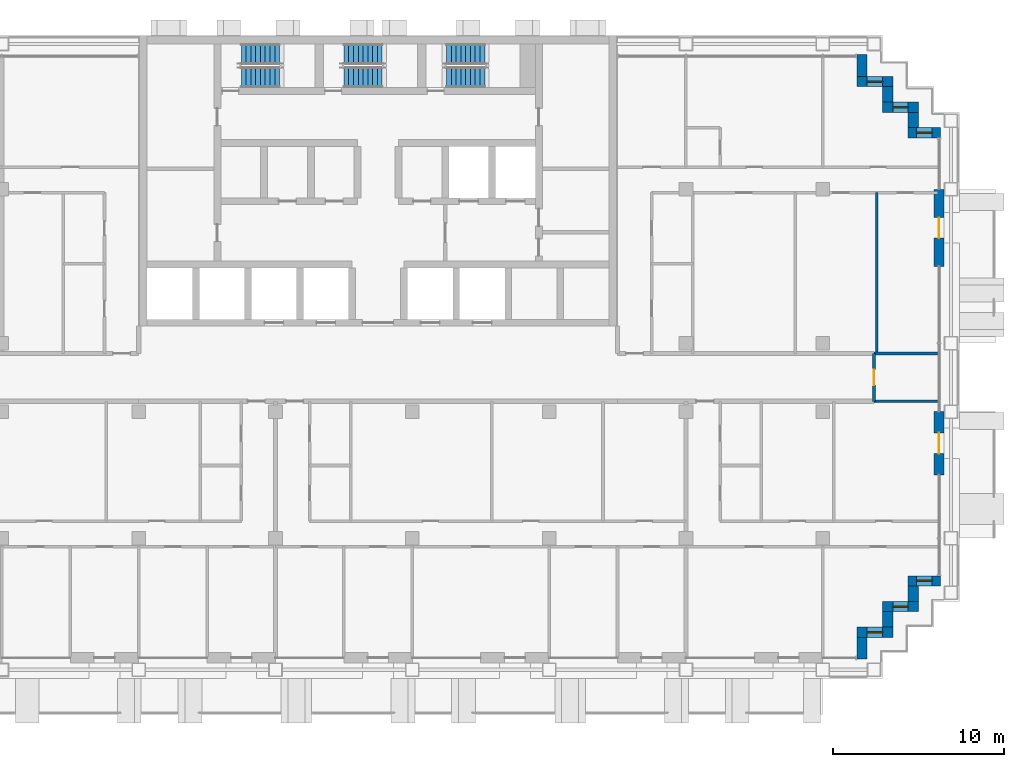
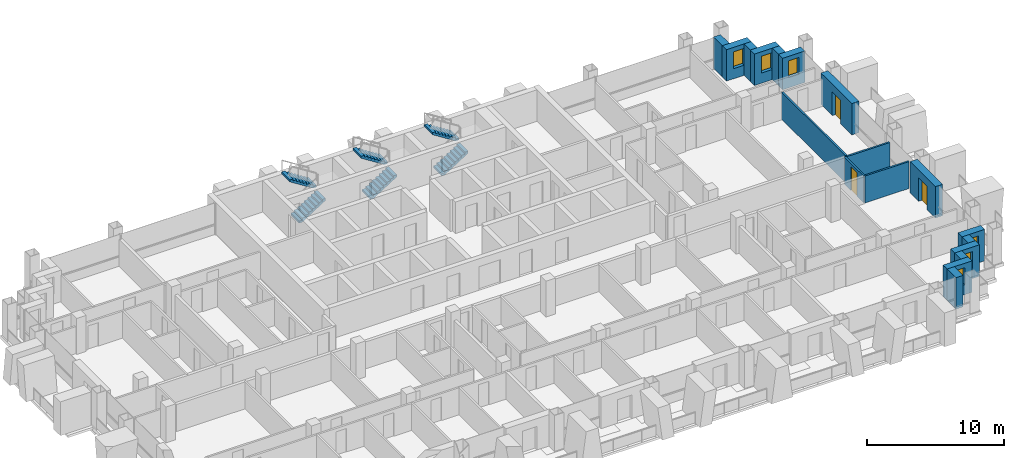
# One storey, part 12 of 17: 18 walls, 6 stair flights, 6 windows, 3 doors, 9 openings, 3 elements without a shape of their own.
"""IFC4 building model written with IfcOpenShell, lengths in metres."""

from ifc_helpers import new_model, si_unit, direction, frame, frame_2d, origin, place, context, subcontext, project, spatial, polyline, rectangle, outline, extrude, material, layer, layer_set, type_object, element, fill, aggregate, save


model = new_model("IFC4")

# Units and contexts
model_context = context("Model", 3, precision=1e-05, world=origin(), true_north=direction((0.0, 1.0)))
body_context = subcontext(model_context, "Body", "Model", "MODEL_VIEW")
ifc_project = project(units=[si_unit("LENGTHUNIT", "METRE"), si_unit("AREAUNIT", "SQUARE_METRE"), si_unit("VOLUMEUNIT", "CUBIC_METRE"), si_unit("PLANEANGLEUNIT", "RADIAN"), si_unit("MASSUNIT", "GRAM", prefix="KILO")], contexts=[model_context])

# Site, building, storey
site_placement = place(None, origin())
site = spatial("IfcSite", under=ifc_project, at=site_placement, CompositionType="ELEMENT")
building_placement = place(site_placement, origin())
building = spatial("IfcBuilding", under=site, at=building_placement, Name="Vidyagriha Tower", CompositionType="ELEMENT")
storey_placement = place(building_placement, frame((0.0, 0.0, 148.60009765625)))
storey = spatial("IfcBuildingStorey", under=building, at=storey_placement, Name="L39", CompositionType="ELEMENT", Elevation=148.60009765625)

# Wall, opening, window
ifc_material_1 = material(Name="Precast concrete C40/50 with brick facing", Category="concrete")
ifc_layer_1 = layer(ifc_material_1, 0.60009765625)
ifc_layer_set_1 = layer_set([ifc_layer_1], Name="Precast concrete C40/50 with brick facing")
wall_type_1 = type_object("IfcWallType", Name="Brick-faced precast wall 600", PredefinedType="STANDARD", material=ifc_layer_set_1)
wall_1_placement = place(storey_placement, frame((32.8798828125, 14.300048828125, 0.0), z_axis=(0.0, 0.0, 1.0), x_axis=(-1.0, 0.0, 0.0)))
wall_1 = element("IfcWall", 1, at=wall_1_placement, inside=storey, type_object=wall_type_1, Name="Stepped corner wall L39 R01", PredefinedType="STANDARD", context=body_context, shape_type="SweptSolid", body=[
    extrude(rectangle(XDim=1.8798828125, YDim=0.60009765625, at=frame_2d((0.93994140625, 0.0))), origin(), (0.0, 0.0, 1.0), 2.7998046875),
])
opening_1_placement = place(wall_1_placement, frame((0.489990234375, 0.0, 0.89990234375)))
opening_1 = element("IfcOpeningElement", 2, at=opening_1_placement, cuts=wall_1, Name="Opening WN1", PredefinedType="OPENING", context=body_context, shape_type="SweptSolid", body=[
    extrude(rectangle(XDim=0.89990234375, YDim=1.5, at=frame_2d((0.449951171875, 0.75))), frame((0.0, 0.31005859375, 0.0), z_axis=(0.0, -1.0, 0.0), x_axis=(1.0, 0.0, 0.0)), (0.0, 0.0, 1.0), 0.6201171875),
])
ifc_material_2 = material(Name="Aluminium and glass window", Category="aluminium")
window_type = type_object("IfcWindowType", Name="Reveal window 900x1500", PartitioningType="NOTDEFINED", PredefinedType="WINDOW", material=ifc_material_2)
window_1_placement = place(opening_1_placement, origin())
window_1 = element("IfcWindow", 3, at=window_1_placement, inside=storey, type_object=window_type, Name="Reveal window L39 R01", OverallHeight=1.5, OverallWidth=0.89990234375, PartitioningType="SINGLE_PANEL", PredefinedType="WINDOW", context=body_context, shape_type="SweptSolid", body=[
    extrude(rectangle(XDim=0.89990234375, YDim=1.5, at=frame_2d((0.449951171875, 0.75))), frame((0.0, 0.030029296875, 0.0), z_axis=(0.0, -1.0, 0.0), x_axis=(1.0, 0.0, 0.0)), (0.0, 0.0, 1.0), 0.06005859375),
])
fill(opening_1, window_1)

# Wall
wall_2_placement = place(storey_placement, frame((31.300048828125, 14.60009765625, 0.0), z_axis=(0.0, 0.0, 1.0), x_axis=(0.0, 1.0, 0.0)))
element("IfcWall", 4, at=wall_2_placement, inside=storey, type_object=wall_type_1, Name="Stepped corner wall L39 R02", PredefinedType="STANDARD", context=body_context, shape_type="SweptSolid", body=[
    extrude(rectangle(XDim=0.89990234375, YDim=0.60009765625, at=frame_2d((0.449951171875, 0.0))), origin(), (0.0, 0.0, 1.0), 2.7998046875),
])

# Wall, opening, window
wall_3_placement = place(storey_placement, frame((31.60009765625, 15.800048828125, 0.0), z_axis=(0.0, 0.0, 1.0), x_axis=(-1.0, 0.0, 0.0)))
wall_3 = element("IfcWall", 5, at=wall_3_placement, inside=storey, type_object=wall_type_1, Name="Stepped corner wall L39 R03", PredefinedType="STANDARD", context=body_context, shape_type="SweptSolid", body=[
    extrude(rectangle(XDim=2.10009765625, YDim=0.60009765625, at=frame_2d((1.050048828125, 0.0))), origin(), (0.0, 0.0, 1.0), 2.7998046875),
])
opening_2_placement = place(wall_3_placement, frame((0.60009765625, 0.0, 0.89990234375)))
opening_2 = element("IfcOpeningElement", 6, at=opening_2_placement, cuts=wall_3, Name="Opening WN1", PredefinedType="OPENING", context=body_context, shape_type="SweptSolid", body=[
    extrude(rectangle(XDim=0.89990234375, YDim=1.5, at=frame_2d((0.449951171875, 0.75))), frame((0.0, 0.31005859375, 0.0), z_axis=(0.0, -1.0, 0.0), x_axis=(1.0, 0.0, 0.0)), (0.0, 0.0, 1.0), 0.6201171875),
])
window_2_placement = place(opening_2_placement, origin())
window_2 = element("IfcWindow", 7, at=window_2_placement, inside=storey, type_object=window_type, Name="Reveal window L39 R03", OverallHeight=1.5, OverallWidth=0.89990234375, PartitioningType="SINGLE_PANEL", PredefinedType="WINDOW", context=body_context, shape_type="SweptSolid", body=[
    extrude(rectangle(XDim=0.89990234375, YDim=1.5, at=frame_2d((0.449951171875, 0.75))), frame((0.0, 0.030029296875, 0.0), z_axis=(0.0, -1.0, 0.0), x_axis=(1.0, 0.0, 0.0)), (0.0, 0.0, 1.0), 0.06005859375),
])
fill(opening_2, window_2)

# Wall
wall_4_placement = place(storey_placement, frame((29.800048828125, 16.10009765625, 0.0), z_axis=(0.0, 0.0, 1.0), x_axis=(0.0, 1.0, 0.0)))
element("IfcWall", 8, at=wall_4_placement, inside=storey, type_object=wall_type_1, Name="Stepped corner wall L39 R04", PredefinedType="STANDARD", context=body_context, shape_type="SweptSolid", body=[
    extrude(rectangle(XDim=0.89990234375, YDim=0.60009765625, at=frame_2d((0.449951171875, 0.0))), origin(), (0.0, 0.0, 1.0), 2.7998046875),
])

# Wall, opening, window
wall_5_placement = place(storey_placement, frame((30.10009765625, 17.300048828125, 0.0), z_axis=(0.0, 0.0, 1.0), x_axis=(-1.0, 0.0, 0.0)))
wall_5 = element("IfcWall", 9, at=wall_5_placement, inside=storey, type_object=wall_type_1, Name="Stepped corner wall L39 R05", PredefinedType="STANDARD", context=body_context, shape_type="SweptSolid", body=[
    extrude(rectangle(XDim=2.10009765625, YDim=0.60009765625, at=frame_2d((1.050048828125, 0.0))), origin(), (0.0, 0.0, 1.0), 2.7998046875),
])
opening_3_placement = place(wall_5_placement, frame((0.60009765625, 0.0, 0.89990234375)))
opening_3 = element("IfcOpeningElement", 10, at=opening_3_placement, cuts=wall_5, Name="Opening WN1", PredefinedType="OPENING", context=body_context, shape_type="SweptSolid", body=[
    extrude(rectangle(XDim=0.89990234375, YDim=1.5, at=frame_2d((0.449951171875, 0.75))), frame((0.0, 0.31005859375, 0.0), z_axis=(0.0, -1.0, 0.0), x_axis=(1.0, 0.0, 0.0)), (0.0, 0.0, 1.0), 0.6201171875),
])
window_3_placement = place(opening_3_placement, origin())
window_3 = element("IfcWindow", 11, at=window_3_placement, inside=storey, type_object=window_type, Name="Reveal window L39 R05", OverallHeight=1.5, OverallWidth=0.89990234375, PartitioningType="SINGLE_PANEL", PredefinedType="WINDOW", context=body_context, shape_type="SweptSolid", body=[
    extrude(rectangle(XDim=0.89990234375, YDim=1.5, at=frame_2d((0.449951171875, 0.75))), frame((0.0, 0.030029296875, 0.0), z_axis=(0.0, -1.0, 0.0), x_axis=(1.0, 0.0, 0.0)), (0.0, 0.0, 1.0), 0.06005859375),
])
fill(opening_3, window_3)

# Walls
wall_6_placement = place(storey_placement, frame((28.300048828125, 17.60009765625, 0.0), z_axis=(0.0, 0.0, 1.0), x_axis=(0.0, 1.0, 0.0)))
element("IfcWall", 12, at=wall_6_placement, inside=storey, type_object=wall_type_1, Name="Stepped corner wall L39 R06", PredefinedType="STANDARD", context=body_context, shape_type="SweptSolid", body=[
    extrude(rectangle(XDim=1.27978515625, YDim=0.60009765625, at=frame_2d((0.639892578125, 0.0))), origin(), (0.0, 0.0, 1.0), 2.7998046875),
])
wall_7_placement = place(storey_placement, frame((28.300048828125, -16.47998046875, 0.0), z_axis=(0.0, 0.0, 1.0), x_axis=(0.0, 1.0, 0.0)))
element("IfcWall", 13, at=wall_7_placement, inside=storey, type_object=wall_type_1, Name="Stepped corner wall L39 R24", PredefinedType="STANDARD", context=body_context, shape_type="SweptSolid", body=[
    extrude(rectangle(XDim=1.280029296875, YDim=0.60009765625, at=frame_2d((0.64013671875, 0.0))), origin(), (0.0, 0.0, 1.0), 2.7998046875),
])

# Wall, opening, window
wall_8_placement = place(storey_placement, frame((28.0, -14.89990234375, 0.0)))
wall_8 = element("IfcWall", 14, at=wall_8_placement, inside=storey, type_object=wall_type_1, Name="Stepped corner wall L39 R25", PredefinedType="STANDARD", context=body_context, shape_type="SweptSolid", body=[
    extrude(rectangle(XDim=2.10009765625, YDim=0.60009765625, at=frame_2d((1.050048828125, 0.0))), origin(), (0.0, 0.0, 1.0), 2.7998046875),
])
opening_4_placement = place(wall_8_placement, frame((0.60009765625, 0.0, 0.89990234375)))
opening_4 = element("IfcOpeningElement", 15, at=opening_4_placement, cuts=wall_8, Name="Opening WN1", PredefinedType="OPENING", context=body_context, shape_type="SweptSolid", body=[
    extrude(rectangle(XDim=0.89990234375, YDim=1.5, at=frame_2d((0.449951171875, 0.75))), frame((0.0, 0.31005859375, 0.0), z_axis=(0.0, -1.0, 0.0), x_axis=(1.0, 0.0, 0.0)), (0.0, 0.0, 1.0), 0.6201171875),
])
window_4_placement = place(opening_4_placement, origin())
window_4 = element("IfcWindow", 16, at=window_4_placement, inside=storey, type_object=window_type, Name="Reveal window L39 R25", OverallHeight=1.5, OverallWidth=0.89990234375, PartitioningType="SINGLE_PANEL", PredefinedType="WINDOW", context=body_context, shape_type="SweptSolid", body=[
    extrude(rectangle(XDim=0.89990234375, YDim=1.5, at=frame_2d((0.449951171875, 0.75))), frame((0.0, 0.030029296875, 0.0), z_axis=(0.0, -1.0, 0.0), x_axis=(1.0, 0.0, 0.0)), (0.0, 0.0, 1.0), 0.06005859375),
])
fill(opening_4, window_4)

# Wall
wall_9_placement = place(storey_placement, frame((29.800048828125, -14.60009765625, 0.0), z_axis=(0.0, 0.0, 1.0), x_axis=(0.0, 1.0, 0.0)))
element("IfcWall", 17, at=wall_9_placement, inside=storey, type_object=wall_type_1, Name="Stepped corner wall L39 R26", PredefinedType="STANDARD", context=body_context, shape_type="SweptSolid", body=[
    extrude(rectangle(XDim=0.900146484375, YDim=0.60009765625, at=frame_2d((0.4501953125, 0.0))), origin(), (0.0, 0.0, 1.0), 2.7998046875),
])

# Wall, opening, window
wall_10_placement = place(storey_placement, frame((29.5, -13.39990234375, 0.0)))
wall_10 = element("IfcWall", 18, at=wall_10_placement, inside=storey, type_object=wall_type_1, Name="Stepped corner wall L39 R27", PredefinedType="STANDARD", context=body_context, shape_type="SweptSolid", body=[
    extrude(rectangle(XDim=2.10009765625, YDim=0.60009765625, at=frame_2d((1.050048828125, 0.0))), origin(), (0.0, 0.0, 1.0), 2.7998046875),
])
opening_5_placement = place(wall_10_placement, frame((0.60009765625, 0.0, 0.89990234375)))
opening_5 = element("IfcOpeningElement", 19, at=opening_5_placement, cuts=wall_10, Name="Opening WN1", PredefinedType="OPENING", context=body_context, shape_type="SweptSolid", body=[
    extrude(rectangle(XDim=0.89990234375, YDim=1.5, at=frame_2d((0.449951171875, 0.75))), frame((0.0, 0.31005859375, 0.0), z_axis=(0.0, -1.0, 0.0), x_axis=(1.0, 0.0, 0.0)), (0.0, 0.0, 1.0), 0.6201171875),
])
window_5_placement = place(opening_5_placement, origin())
window_5 = element("IfcWindow", 20, at=window_5_placement, inside=storey, type_object=window_type, Name="Reveal window L39 R27", OverallHeight=1.5, OverallWidth=0.89990234375, PartitioningType="SINGLE_PANEL", PredefinedType="WINDOW", context=body_context, shape_type="SweptSolid", body=[
    extrude(rectangle(XDim=0.89990234375, YDim=1.5, at=frame_2d((0.449951171875, 0.75))), frame((0.0, 0.030029296875, 0.0), z_axis=(0.0, -1.0, 0.0), x_axis=(1.0, 0.0, 0.0)), (0.0, 0.0, 1.0), 0.06005859375),
])
fill(opening_5, window_5)

# Wall
wall_11_placement = place(storey_placement, frame((31.300048828125, -13.10009765625, 0.0), z_axis=(0.0, 0.0, 1.0), x_axis=(0.0, 1.0, 0.0)))
element("IfcWall", 21, at=wall_11_placement, inside=storey, type_object=wall_type_1, Name="Stepped corner wall L39 R28", PredefinedType="STANDARD", context=body_context, shape_type="SweptSolid", body=[
    extrude(rectangle(XDim=0.900146484375, YDim=0.60009765625, at=frame_2d((0.4501953125, 0.0))), origin(), (0.0, 0.0, 1.0), 2.7998046875),
])

# Wall, opening, window
wall_12_placement = place(storey_placement, frame((31.0, -11.89990234375, 0.0)))
wall_12 = element("IfcWall", 22, at=wall_12_placement, inside=storey, type_object=wall_type_1, Name="Stepped corner wall L39 R29", PredefinedType="STANDARD", context=body_context, shape_type="SweptSolid", body=[
    extrude(rectangle(XDim=1.8798828125, YDim=0.60009765625, at=frame_2d((0.93994140625, 0.0))), origin(), (0.0, 0.0, 1.0), 2.7998046875),
])
opening_6_placement = place(wall_12_placement, frame((0.489990234375, 0.0, 0.89990234375)))
opening_6 = element("IfcOpeningElement", 23, at=opening_6_placement, cuts=wall_12, Name="Opening WN1", PredefinedType="OPENING", context=body_context, shape_type="SweptSolid", body=[
    extrude(rectangle(XDim=0.89990234375, YDim=1.5, at=frame_2d((0.449951171875, 0.75))), frame((0.0, 0.31005859375, 0.0), z_axis=(0.0, -1.0, 0.0), x_axis=(1.0, 0.0, 0.0)), (0.0, 0.0, 1.0), 0.6201171875),
])
window_6_placement = place(opening_6_placement, origin())
window_6 = element("IfcWindow", 24, at=window_6_placement, inside=storey, type_object=window_type, Name="Reveal window L39 R29", OverallHeight=1.5, OverallWidth=0.89990234375, PartitioningType="SINGLE_PANEL", PredefinedType="WINDOW", context=body_context, shape_type="SweptSolid", body=[
    extrude(rectangle(XDim=0.89990234375, YDim=1.5, at=frame_2d((0.449951171875, 0.75))), frame((0.0, 0.030029296875, 0.0), z_axis=(0.0, -1.0, 0.0), x_axis=(1.0, 0.0, 0.0)), (0.0, 0.0, 1.0), 0.06005859375),
])
fill(opening_6, window_6)

# Wall, opening, door
wall_13_placement = place(storey_placement, frame((32.800048828125, -5.699951171875, 0.0), z_axis=(0.0, 0.0, 1.0), x_axis=(0.0, 1.0, 0.0)))
wall_13 = element("IfcWall", 25, at=wall_13_placement, inside=storey, type_object=wall_type_1, Name="Brick door bay wall L39 R30.3", PredefinedType="STANDARD", context=body_context, shape_type="SweptSolid", body=[
    extrude(rectangle(XDim=3.699951171875, YDim=0.60009765625, at=frame_2d((1.85009765625, 0.0))), origin(), (0.0, 0.0, 1.0), 2.7998046875),
])
opening_7_placement = place(wall_13_placement, frame((1.25, 0.0, 0.0)))
opening_7 = element("IfcOpeningElement", 26, at=opening_7_placement, cuts=wall_13, Name="Opening D39-75", PredefinedType="OPENING", context=body_context, shape_type="SweptSolid", body=[
    extrude(rectangle(XDim=1.199951171875, YDim=2.10009765625, at=frame_2d((0.60009765625, 1.050048828125))), frame((0.0, 0.31005859375, 0.0), z_axis=(0.0, -1.0, 0.0), x_axis=(1.0, 0.0, 0.0)), (0.0, 0.0, 1.0), 0.6201171875),
])
ifc_material_3 = material(Name="Aluminium framed glazed sliding door", Category="aluminium")
door_type_1 = type_object("IfcDoorType", Name="Balcony sliding door 1200x2100", OperationType="NOTDEFINED", PredefinedType="DOOR", material=ifc_material_3)
door_1_placement = place(opening_7_placement, origin())
door_1 = element("IfcDoor", 27, at=door_1_placement, inside=storey, type_object=door_type_1, Name="Door D39-75", OperationType="SLIDING_TO_LEFT", OverallHeight=2.10009765625, OverallWidth=1.199951171875, PredefinedType="DOOR", context=body_context, shape_type="SweptSolid", body=[
    extrude(rectangle(XDim=1.199951171875, YDim=2.10009765625, at=frame_2d((0.60009765625, 1.050048828125))), frame((0.0, 0.02490234375, 0.0), z_axis=(0.0, -1.0, 0.0), x_axis=(1.0, 0.0, 0.0)), (0.0, 0.0, 1.0), 0.050048828125),
])
fill(opening_7, door_1)

wall_14_placement = place(storey_placement, frame((32.800048828125, 6.5, 0.0), z_axis=(0.0, 0.0, 1.0), x_axis=(0.0, 1.0, 0.0)))
wall_14 = element("IfcWall", 28, at=wall_14_placement, inside=storey, type_object=wall_type_1, Name="Brick door bay wall L39 R30.6", PredefinedType="STANDARD", context=body_context, shape_type="SweptSolid", body=[
    extrude(rectangle(XDim=4.5, YDim=0.60009765625, at=frame_2d((2.25, 0.0))), origin(), (0.0, 0.0, 1.0), 2.7998046875),
])
opening_8_placement = place(wall_14_placement, frame((1.64990234375, 0.0, 0.0)))
opening_8 = element("IfcOpeningElement", 29, at=opening_8_placement, cuts=wall_14, Name="Opening D39-76", PredefinedType="OPENING", context=body_context, shape_type="SweptSolid", body=[
    extrude(rectangle(XDim=1.199951171875, YDim=2.10009765625, at=frame_2d((0.60009765625, 1.050048828125))), frame((0.0, 0.31005859375, 0.0), z_axis=(0.0, -1.0, 0.0), x_axis=(1.0, 0.0, 0.0)), (0.0, 0.0, 1.0), 0.6201171875),
])
door_2_placement = place(opening_8_placement, origin())
door_2 = element("IfcDoor", 30, at=door_2_placement, inside=storey, type_object=door_type_1, Name="Door D39-76", OperationType="SLIDING_TO_LEFT", OverallHeight=2.10009765625, OverallWidth=1.199951171875, PredefinedType="DOOR", context=body_context, shape_type="SweptSolid", body=[
    extrude(rectangle(XDim=1.199951171875, YDim=2.10009765625, at=frame_2d((0.60009765625, 1.050048828125))), frame((0.0, 0.02490234375, 0.0), z_axis=(0.0, -1.0, 0.0), x_axis=(1.0, 0.0, 0.0)), (0.0, 0.0, 1.0), 0.050048828125),
])
fill(opening_8, door_2)

# Walls
ifc_material_4 = material(Name="Gypsum board partition")
ifc_layer_2 = layer(ifc_material_4, 0.14990234375)
ifc_layer_set_2 = layer_set([ifc_layer_2], Name="Gypsum board partition")
wall_type_2 = type_object("IfcWallType", Name="Gypsum board partition 150", PredefinedType="PARTITIONING", material=ifc_layer_set_2)
wall_15_placement = place(storey_placement, frame((32.719970703125, -1.39990234375, 0.0), z_axis=(0.0, 0.0, 1.0), x_axis=(-1.0, 0.0, 0.0)))
element("IfcWall", 31, at=wall_15_placement, inside=storey, type_object=wall_type_2, Name="Wall all-L39-w064", PredefinedType="PARTITIONING", context=body_context, shape_type="SweptSolid", body=[
    extrude(rectangle(XDim=3.719970703125, YDim=0.14990234375, at=frame_2d((1.85986328125, 0.0))), origin(), (0.0, 0.0, 1.0), 2.39990234375),
])
wall_16_placement = place(storey_placement, frame((29.14990234375, 10.800048828125, 0.0), z_axis=(0.0, 0.0, 1.0), x_axis=(0.0, -1.0, 0.0)))
element("IfcWall", 32, at=wall_16_placement, inside=storey, type_object=wall_type_2, Name="Wall all-L39-w096", PredefinedType="PARTITIONING", context=body_context, shape_type="SweptSolid", body=[
    extrude(rectangle(XDim=9.400146484375, YDim=0.14990234375, at=frame_2d((4.7001953125, 0.0))), origin(), (0.0, 0.0, 1.0), 2.39990234375),
])
wall_17_placement = place(storey_placement, frame((29.0, 1.39990234375, 0.0)))
element("IfcWall", 33, at=wall_17_placement, inside=storey, type_object=wall_type_2, Name="Wall all-L39-w112", PredefinedType="PARTITIONING", context=body_context, shape_type="SweptSolid", body=[
    extrude(rectangle(XDim=3.719970703125, YDim=0.14990234375, at=frame_2d((1.85986328125, 0.0))), origin(), (0.0, 0.0, 1.0), 2.39990234375),
])

# Wall, opening, door
wall_18_placement = place(storey_placement, frame((29.0, -1.39990234375, 0.0), z_axis=(0.0, 0.0, 1.0), x_axis=(0.0, 1.0, 0.0)))
wall_18 = element("IfcWall", 34, at=wall_18_placement, inside=storey, type_object=wall_type_2, Name="Wall all-L39-w115", PredefinedType="PARTITIONING", context=body_context, shape_type="SweptSolid", body=[
    extrude(rectangle(XDim=2.7998046875, YDim=0.14990234375, at=frame_2d((1.39990234375, 0.0))), origin(), (0.0, 0.0, 1.0), 2.39990234375),
])
opening_9_placement = place(wall_18_placement, frame((0.949951171875, 0.0, 0.0)))
opening_9 = element("IfcOpeningElement", 35, at=opening_9_placement, cuts=wall_18, Name="Opening D39-65", PredefinedType="OPENING", context=body_context, shape_type="SweptSolid", body=[
    extrude(rectangle(XDim=0.89990234375, YDim=2.10009765625, at=frame_2d((0.449951171875, 1.050048828125))), frame((0.0, 0.0849609375, 0.0), z_axis=(0.0, -1.0, 0.0), x_axis=(1.0, 0.0, 0.0)), (0.0, 0.0, 1.0), 0.169921875),
])
ifc_material_5 = material(Name="Timber door leaf", Category="wood")
door_type_2 = type_object("IfcDoorType", Name="Room door 900x2100", OperationType="NOTDEFINED", PredefinedType="DOOR", material=ifc_material_5)
door_3_placement = place(opening_9_placement, origin())
door_3 = element("IfcDoor", 36, at=door_3_placement, inside=storey, type_object=door_type_2, Name="Door D39-65", OperationType="SINGLE_SWING_RIGHT", OverallHeight=2.10009765625, OverallWidth=0.89990234375, PredefinedType="DOOR", context=body_context, shape_type="SweptSolid", body=[
    extrude(rectangle(XDim=0.89990234375, YDim=2.10009765625, at=frame_2d((0.449951171875, 1.050048828125))), frame((0.0, 0.02490234375, 0.0), z_axis=(0.0, -1.0, 0.0), x_axis=(1.0, 0.0, 0.0)), (0.0, 0.0, 1.0), 0.050048828125),
])
fill(opening_9, door_3)

# Stair, stair flights
ifc_material_6 = material(Name="Concrete C40/50", Category="concrete")
stair_type = type_object("IfcStairType", Name="Exit stair, half-turn, precast flights", PredefinedType="HALF_TURN_STAIR", material=ifc_material_6)
stair_1_placement = place(storey_placement, origin())
stair_1 = element("IfcStair", 37, at=stair_1_placement, inside=storey, type_object=stair_type, Name="L39 Exit Stair ST1", PredefinedType="HALF_TURN_STAIR")
ifc_material_7 = material(Name="Precast concrete C40/50", Category="concrete")
stair_flight_type = type_object("IfcStairFlightType", Name="Exit stair flight 1200 mm, precast", PredefinedType="STRAIGHT", material=ifc_material_7)
stair_flight_1_placement = place(storey_placement, frame((-8.0, 17.550048828125, 0.0)))
stair_flight_1 = element("IfcStairFlight", 38, at=stair_flight_1_placement, type_object=stair_flight_type, Name="ST1 flight 1", NumberOfRisers=9, NumberOfTreads=8, PredefinedType="STRAIGHT", RiserHeight=0.177777778, TreadLength=0.28, context=body_context, shape_type="SweptSolid", body=[
    extrude(outline(polyline([(0.0, 0.0), (0.0, 0.177734375), (0.280029296875, 0.177734375), (0.280029296875, 0.35546875), (0.56005859375, 0.35546875), (0.56005859375, 0.533447265625), (0.840087890625, 0.533447265625), (0.840087890625, 0.711181640625), (1.1201171875, 0.711181640625), (1.1201171875, 0.888916015625), (1.39990234375, 0.888916015625), (1.39990234375, 1.066650390625), (1.679931640625, 1.066650390625), (1.679931640625, 1.244384765625), (1.9599609375, 1.244384765625), (1.9599609375, 1.422119140625), (2.239990234375, 1.422119140625), (2.239990234375, 1.60009765625), (2.239990234375, 1.24462890625), (0.27978515625, 0.0), (0.0, 0.0)])), frame((0.0, 0.60009765625, 0.0), z_axis=(0.0, -1.0, 0.0), x_axis=(1.0, 0.0, 0.0)), (0.0, 0.0, 1.0), 1.199951171875),
])
stair_flight_2_placement = place(storey_placement, frame((-5.760009765625, 18.89990234375, 1.599853515625), z_axis=(0.0, 0.0, 1.0), x_axis=(-1.0, 0.0, 0.0)))
stair_flight_2 = element("IfcStairFlight", 39, at=stair_flight_2_placement, type_object=stair_flight_type, Name="ST1 flight 2", NumberOfRisers=9, NumberOfTreads=8, PredefinedType="STRAIGHT", RiserHeight=0.177777778, TreadLength=0.28, context=body_context, shape_type="SweptSolid", body=[
    extrude(outline(polyline([(0.0, 0.0), (0.0, 0.177734375), (0.280029296875, 0.177734375), (0.280029296875, 0.35546875), (0.56005859375, 0.35546875), (0.56005859375, 0.533447265625), (0.840087890625, 0.533447265625), (0.840087890625, 0.711181640625), (1.1201171875, 0.711181640625), (1.1201171875, 0.888916015625), (1.39990234375, 0.888916015625), (1.39990234375, 1.066650390625), (1.679931640625, 1.066650390625), (1.679931640625, 1.244384765625), (1.9599609375, 1.244384765625), (1.9599609375, 1.422119140625), (2.239990234375, 1.422119140625), (2.239990234375, 1.60009765625), (2.239990234375, 1.24462890625), (0.27978515625, 0.0), (0.0, 0.0)])), frame((0.0, 0.60009765625, 0.0), z_axis=(0.0, -1.0, 0.0), x_axis=(1.0, 0.0, 0.0)), (0.0, 0.0, 1.0), 1.199951171875),
])
aggregate(stair_1, [stair_flight_1, stair_flight_2])

stair_2_placement = place(storey_placement, origin())
stair_2 = element("IfcStair", 40, at=stair_2_placement, inside=storey, type_object=stair_type, Name="L39 Exit Stair ST2", PredefinedType="HALF_TURN_STAIR")
stair_flight_3_placement = place(storey_placement, frame((-2.0, 17.550048828125, 0.0)))
stair_flight_3 = element("IfcStairFlight", 41, at=stair_flight_3_placement, type_object=stair_flight_type, Name="ST2 flight 1", NumberOfRisers=9, NumberOfTreads=8, PredefinedType="STRAIGHT", RiserHeight=0.177777778, TreadLength=0.28, context=body_context, shape_type="SweptSolid", body=[
    extrude(outline(polyline([(0.0, 0.0), (0.0, 0.177734375), (0.280029296875, 0.177734375), (0.280029296875, 0.35546875), (0.56005859375, 0.35546875), (0.56005859375, 0.533447265625), (0.840087890625, 0.533447265625), (0.840087890625, 0.711181640625), (1.1201171875, 0.711181640625), (1.1201171875, 0.888916015625), (1.39990234375, 0.888916015625), (1.39990234375, 1.066650390625), (1.679931640625, 1.066650390625), (1.679931640625, 1.244384765625), (1.9599609375, 1.244384765625), (1.9599609375, 1.422119140625), (2.239990234375, 1.422119140625), (2.239990234375, 1.60009765625), (2.239990234375, 1.24462890625), (0.27978515625, 0.0), (0.0, 0.0)])), frame((0.0, 0.60009765625, 0.0), z_axis=(0.0, -1.0, 0.0), x_axis=(1.0, 0.0, 0.0)), (0.0, 0.0, 1.0), 1.199951171875),
])
stair_flight_4_placement = place(storey_placement, frame((0.239990234375, 18.89990234375, 1.599853515625), z_axis=(0.0, 0.0, 1.0), x_axis=(-1.0, 0.0, 0.0)))
stair_flight_4 = element("IfcStairFlight", 42, at=stair_flight_4_placement, type_object=stair_flight_type, Name="ST2 flight 2", NumberOfRisers=9, NumberOfTreads=8, PredefinedType="STRAIGHT", RiserHeight=0.177777778, TreadLength=0.28, context=body_context, shape_type="SweptSolid", body=[
    extrude(outline(polyline([(0.0, 0.0), (0.0, 0.177734375), (0.280029296875, 0.177734375), (0.280029296875, 0.35546875), (0.56005859375, 0.35546875), (0.56005859375, 0.533447265625), (0.840087890625, 0.533447265625), (0.840087890625, 0.711181640625), (1.1201171875, 0.711181640625), (1.1201171875, 0.888916015625), (1.39990234375, 0.888916015625), (1.39990234375, 1.066650390625), (1.679931640625, 1.066650390625), (1.679931640625, 1.244384765625), (1.9599609375, 1.244384765625), (1.9599609375, 1.422119140625), (2.239990234375, 1.422119140625), (2.239990234375, 1.60009765625), (2.239990234375, 1.24462890625), (0.27978515625, 0.0), (0.0, 0.0)])), frame((0.0, 0.60009765625, 0.0), z_axis=(0.0, -1.0, 0.0), x_axis=(1.0, 0.0, 0.0)), (0.0, 0.0, 1.0), 1.199951171875),
])
aggregate(stair_2, [stair_flight_3, stair_flight_4])

stair_3_placement = place(storey_placement, origin())
stair_3 = element("IfcStair", 43, at=stair_3_placement, inside=storey, type_object=stair_type, Name="L39 Exit Stair ST3", PredefinedType="HALF_TURN_STAIR")
stair_flight_5_placement = place(storey_placement, frame((4.0, 17.550048828125, 0.0)))
stair_flight_5 = element("IfcStairFlight", 44, at=stair_flight_5_placement, type_object=stair_flight_type, Name="ST3 flight 1", NumberOfRisers=9, NumberOfTreads=8, PredefinedType="STRAIGHT", RiserHeight=0.177777778, TreadLength=0.28, context=body_context, shape_type="SweptSolid", body=[
    extrude(outline(polyline([(0.0, 0.0), (0.0, 0.177734375), (0.280029296875, 0.177734375), (0.280029296875, 0.35546875), (0.56005859375, 0.35546875), (0.56005859375, 0.533447265625), (0.840087890625, 0.533447265625), (0.840087890625, 0.711181640625), (1.1201171875, 0.711181640625), (1.1201171875, 0.888916015625), (1.39990234375, 0.888916015625), (1.39990234375, 1.066650390625), (1.679931640625, 1.066650390625), (1.679931640625, 1.244384765625), (1.9599609375, 1.244384765625), (1.9599609375, 1.422119140625), (2.239990234375, 1.422119140625), (2.239990234375, 1.60009765625), (2.239990234375, 1.24462890625), (0.27978515625, 0.0), (0.0, 0.0)])), frame((0.0, 0.60009765625, 0.0), z_axis=(0.0, -1.0, 0.0), x_axis=(1.0, 0.0, 0.0)), (0.0, 0.0, 1.0), 1.199951171875),
])
stair_flight_6_placement = place(storey_placement, frame((6.239990234375, 18.89990234375, 1.599853515625), z_axis=(0.0, 0.0, 1.0), x_axis=(-1.0, 0.0, 0.0)))
stair_flight_6 = element("IfcStairFlight", 45, at=stair_flight_6_placement, type_object=stair_flight_type, Name="ST3 flight 2", NumberOfRisers=9, NumberOfTreads=8, PredefinedType="STRAIGHT", RiserHeight=0.177777778, TreadLength=0.28, context=body_context, shape_type="SweptSolid", body=[
    extrude(outline(polyline([(0.0, 0.0), (0.0, 0.177734375), (0.280029296875, 0.177734375), (0.280029296875, 0.35546875), (0.56005859375, 0.35546875), (0.56005859375, 0.533447265625), (0.840087890625, 0.533447265625), (0.840087890625, 0.711181640625), (1.1201171875, 0.711181640625), (1.1201171875, 0.888916015625), (1.39990234375, 0.888916015625), (1.39990234375, 1.066650390625), (1.679931640625, 1.066650390625), (1.679931640625, 1.244384765625), (1.9599609375, 1.244384765625), (1.9599609375, 1.422119140625), (2.239990234375, 1.422119140625), (2.239990234375, 1.60009765625), (2.239990234375, 1.24462890625), (0.27978515625, 0.0), (0.0, 0.0)])), frame((0.0, 0.60009765625, 0.0), z_axis=(0.0, -1.0, 0.0), x_axis=(1.0, 0.0, 0.0)), (0.0, 0.0, 1.0), 1.199951171875),
])
aggregate(stair_3, [stair_flight_5, stair_flight_6])

save(model, "model.ifc")
